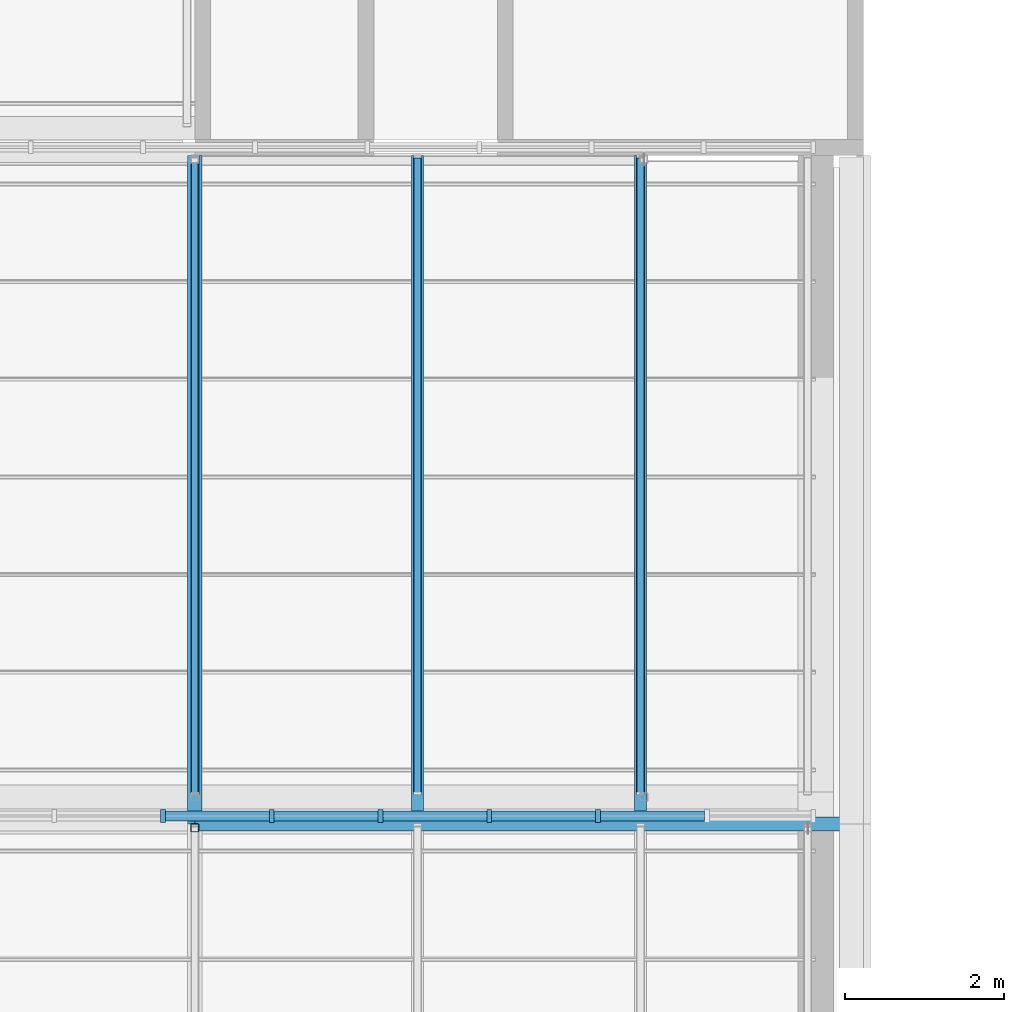
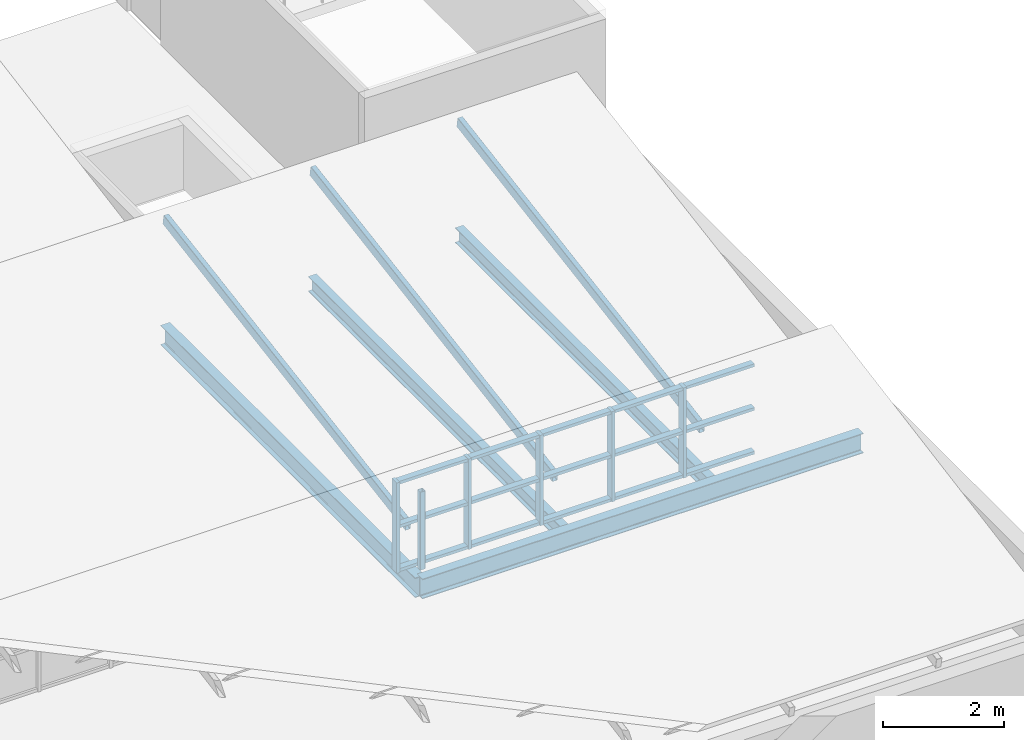
# One storey, part 7 of 42: 24 members, 4 beams, 1 element without a shape of its own.
"""IFC4 building model written with IfcOpenShell, lengths in metres."""

from ifc_helpers import new_model, si_unit, direction, frame, origin, origin_2d, place, context, subcontext, project, spatial, rectangle, hollow_rectangle, i_section, extrude, material, layer, layer_set, material_profile, profile_set, type_object, element, aggregate, save


model = new_model("IFC4")

# Units and contexts
model_context = context("Model", 3, precision=1e-05, world=origin(), true_north=direction((0.0, 1.0)))
body_context = subcontext(model_context, "Body", "Model", "MODEL_VIEW")
ifc_project = project(units=[si_unit("LENGTHUNIT", "METRE"), si_unit("AREAUNIT", "SQUARE_METRE"), si_unit("VOLUMEUNIT", "CUBIC_METRE"), si_unit("PLANEANGLEUNIT", "RADIAN"), si_unit("MASSUNIT", "GRAM", prefix="KILO")], contexts=[model_context])

# Site, building, storey
site_placement = place(None, origin())
site = spatial("IfcSite", under=ifc_project, at=site_placement, CompositionType="ELEMENT")
building_placement = place(site_placement, origin())
building = spatial("IfcBuilding", under=site, at=building_placement, Name="Ardhachandra Cancer Care Centre", CompositionType="ELEMENT")
storey_placement = place(building_placement, frame((0.0, 0.0, 22.5)))
storey = spatial("IfcBuildingStorey", under=building, at=storey_placement, Name="L05", CompositionType="ELEMENT", Elevation=22.5)

# Beams
ifc_material_1 = material(Name="Steel E350 (IS 2062)", Category="steel")
ifc_material_profile_1 = material_profile(ifc_material_1, i_section(OverallWidth=0.152099609375, OverallDepth=0.303955078125, WebThickness=0.008056640625, FlangeThickness=0.0126953125, FilletRadius=0.014892578125, at=origin_2d()), Name="NPB 300x150x49.32")
ifc_profile_set_1 = profile_set([ifc_material_profile_1], Name="Steel E350 (IS 2062)")
beam_type_1 = type_object("IfcBeamType", Name="Beam NPB 300x150x49.32", PredefinedType="BEAM", material=ifc_profile_set_1)
for number, where, z_axis, x_axis, name in (
    (1, (38.800048828125, 79.889892578125, -0.35205078125), (0.0, 1.0, 0.0), (-1.0, 0.0, 0.0), "Secondary J4-K4@2800"),
    (2, (41.60009765625, 79.889892578125, -0.35205078125), (0.0, 1.0, 0.0), (-1.0, 0.0, 0.0), "Secondary J4-K4@5600"),
):
    element("IfcBeam", number, at=place(storey_placement, frame(where, z_axis=z_axis, x_axis=x_axis)), inside=storey, type_object=beam_type_1, Name=name, PredefinedType="BEAM", context=body_context, shape_type="SweptSolid", body=[
        extrude(i_section(OverallWidth=0.152099609375, OverallDepth=0.303955078125, WebThickness=0.008056640625, FlangeThickness=0.0126953125, FilletRadius=0.014892578125, at=origin_2d()), origin(), (0.0, 0.0, 1.0), 8.31005859375),
    ])
ifc_material_2 = material(Name="Steel E350 (IS 2062)", Category="steel")
ifc_material_profile_2 = material_profile(ifc_material_2, i_section(OverallWidth=0.179931640625, OverallDepth=0.39990234375, WebThickness=0.008544921875, FlangeThickness=0.013427734375, FilletRadius=0.02099609375, at=origin_2d()), Name="NPB 400x180x66.30")
ifc_profile_set_2 = profile_set([ifc_material_profile_2], Name="Steel E350 (IS 2062)")
beam_type_2 = type_object("IfcBeamType", Name="Beam NPB 400x180x66.30", PredefinedType="BEAM", material=ifc_profile_set_2)
for number, where, z_axis, x_axis, name in (
    (3, (36.0, 79.800048828125, -0.39990234375), (1.0, 0.0, 0.0), (0.0, 1.0, 0.0), "Girder J4-J5"),
    (4, (36.0, 79.800048828125, -0.39990234375), (0.0, 1.0, 0.0), (-1.0, 0.0, 0.0), "Girder J4-K4"),
):
    element("IfcBeam", number, at=place(storey_placement, frame(where, z_axis=z_axis, x_axis=x_axis)), inside=storey, type_object=beam_type_2, Name=name, PredefinedType="BEAM", context=body_context, shape_type="SweptSolid", body=[
        extrude(i_section(OverallWidth=0.179931640625, OverallDepth=0.39990234375, WebThickness=0.008544921875, FlangeThickness=0.013427734375, FilletRadius=0.02099609375, at=origin_2d()), origin(), (0.0, 0.0, 1.0), 8.39990234375),
    ])

# Curtain wall, members
ifc_material_3 = material(Name="Aluminium extrusion", Category="aluminium")
ifc_layer = layer(ifc_material_3, 0.14990234375)
ifc_layer_set = layer_set([ifc_layer], Name="Aluminium extrusion")
curtain_wall_type = type_object("IfcCurtainWallType", Name="Curtain wall run", PredefinedType="NOTDEFINED", material=ifc_layer_set)
curtain_wall_placement = place(storey_placement, origin())
curtain_wall = element("IfcCurtainWall", 5, at=curtain_wall_placement, inside=storey, type_object=curtain_wall_type, Name="Curtain wall L05 n/0019200_0079900", PredefinedType="NOTDEFINED")
ifc_material_4 = material(Name="Aluminium extrusion", Category="aluminium")
ifc_material_profile_3 = material_profile(ifc_material_4, rectangle(XDim=0.159912109375, YDim=0.06005859375, at=origin_2d()), Name="Curtain wall mullion 60 x 160")
ifc_profile_set_3 = profile_set([ifc_material_profile_3], Name="Aluminium extrusion")
member_type_1 = type_object("IfcMemberType", Name="Curtain wall mullion 60 x 160", PredefinedType="MULLION", material=ifc_profile_set_3)
member_1_placement = place(storey_placement, frame((35.60009765625, 79.89990234375, 0.0), z_axis=(0.0, 0.0, 1.0), x_axis=(0.0, 1.0, 0.0)))
member_1 = element("IfcMember", 6, at=member_1_placement, type_object=member_type_1, Name="CW mullion 13", PredefinedType="MULLION", context=body_context, shape_type="SweptSolid", body=[
    extrude(rectangle(XDim=0.159912109375, YDim=0.06005859375, at=origin_2d()), origin(), (0.0, 0.0, 1.0), 1.820068359375),
])
member_2_placement = place(storey_placement, frame((36.966552734375, 79.89990234375, 0.0), z_axis=(0.0, 0.0, 1.0), x_axis=(0.0, 1.0, 0.0)))
member_2 = element("IfcMember", 7, at=member_2_placement, type_object=member_type_1, Name="CW mullion 14", PredefinedType="MULLION", context=body_context, shape_type="SweptSolid", body=[
    extrude(rectangle(XDim=0.159912109375, YDim=0.06005859375, at=origin_2d()), origin(), (0.0, 0.0, 1.0), 1.820068359375),
])
member_3_placement = place(storey_placement, frame((38.333251953125, 79.89990234375, 0.0), z_axis=(0.0, 0.0, 1.0), x_axis=(0.0, 1.0, 0.0)))
member_3 = element("IfcMember", 8, at=member_3_placement, type_object=member_type_1, Name="CW mullion 15", PredefinedType="MULLION", context=body_context, shape_type="SweptSolid", body=[
    extrude(rectangle(XDim=0.159912109375, YDim=0.06005859375, at=origin_2d()), origin(), (0.0, 0.0, 1.0), 1.820068359375),
])
member_4_placement = place(storey_placement, frame((39.699951171875, 79.89990234375, 0.0), z_axis=(0.0, 0.0, 1.0), x_axis=(0.0, 1.0, 0.0)))
member_4 = element("IfcMember", 9, at=member_4_placement, type_object=member_type_1, Name="CW mullion 16", PredefinedType="MULLION", context=body_context, shape_type="SweptSolid", body=[
    extrude(rectangle(XDim=0.159912109375, YDim=0.06005859375, at=origin_2d()), origin(), (0.0, 0.0, 1.0), 1.820068359375),
])
member_5_placement = place(storey_placement, frame((41.066650390625, 79.89990234375, 0.0), z_axis=(0.0, 0.0, 1.0), x_axis=(0.0, 1.0, 0.0)))
member_5 = element("IfcMember", 10, at=member_5_placement, type_object=member_type_1, Name="CW mullion 17", PredefinedType="MULLION", context=body_context, shape_type="SweptSolid", body=[
    extrude(rectangle(XDim=0.159912109375, YDim=0.06005859375, at=origin_2d()), origin(), (0.0, 0.0, 1.0), 1.820068359375),
])
ifc_material_5 = material(Name="Aluminium extrusion", Category="aluminium")
ifc_material_profile_4 = material_profile(ifc_material_5, rectangle(XDim=0.1201171875, YDim=0.06005859375, at=origin_2d()), Name="Curtain wall transom 60 x 120")
ifc_profile_set_4 = profile_set([ifc_material_profile_4], Name="Aluminium extrusion")
member_type_2 = type_object("IfcMemberType", Name="Curtain wall transom 60 x 120", PredefinedType="USERDEFINED", material=ifc_profile_set_4)
member_6_placement = place(storey_placement, frame((35.6298828125, 79.89990234375, 0.030029296875), z_axis=(1.0, 0.0, 0.0), x_axis=(0.0, 1.0, 0.0)))
member_6 = element("IfcMember", 11, at=member_6_placement, type_object=member_type_2, Name="CW transom 13.1", ObjectType="TRANSOM", PredefinedType="USERDEFINED", context=body_context, shape_type="SweptSolid", body=[
    extrude(rectangle(XDim=0.1201171875, YDim=0.06005859375, at=origin_2d()), origin(), (0.0, 0.0, 1.0), 1.306884765625),
])
member_7_placement = place(storey_placement, frame((35.6298828125, 79.89990234375, 0.909912109375), z_axis=(1.0, 0.0, 0.0), x_axis=(0.0, 1.0, 0.0)))
member_7 = element("IfcMember", 12, at=member_7_placement, type_object=member_type_2, Name="CW transom 13.2", ObjectType="TRANSOM", PredefinedType="USERDEFINED", context=body_context, shape_type="SweptSolid", body=[
    extrude(rectangle(XDim=0.1201171875, YDim=0.06005859375, at=origin_2d()), origin(), (0.0, 0.0, 1.0), 1.306884765625),
])
member_8_placement = place(storey_placement, frame((35.6298828125, 79.89990234375, 1.7900390625), z_axis=(1.0, 0.0, 0.0), x_axis=(0.0, 1.0, 0.0)))
member_8 = element("IfcMember", 13, at=member_8_placement, type_object=member_type_2, Name="CW transom 13.3", ObjectType="TRANSOM", PredefinedType="USERDEFINED", context=body_context, shape_type="SweptSolid", body=[
    extrude(rectangle(XDim=0.1201171875, YDim=0.06005859375, at=origin_2d()), origin(), (0.0, 0.0, 1.0), 1.306884765625),
])
member_9_placement = place(storey_placement, frame((36.99658203125, 79.89990234375, 0.030029296875), z_axis=(1.0, 0.0, 0.0), x_axis=(0.0, 1.0, 0.0)))
member_9 = element("IfcMember", 14, at=member_9_placement, type_object=member_type_2, Name="CW transom 14.1", ObjectType="TRANSOM", PredefinedType="USERDEFINED", context=body_context, shape_type="SweptSolid", body=[
    extrude(rectangle(XDim=0.1201171875, YDim=0.06005859375, at=origin_2d()), origin(), (0.0, 0.0, 1.0), 1.306640625),
])
member_10_placement = place(storey_placement, frame((36.99658203125, 79.89990234375, 0.909912109375), z_axis=(1.0, 0.0, 0.0), x_axis=(0.0, 1.0, 0.0)))
member_10 = element("IfcMember", 15, at=member_10_placement, type_object=member_type_2, Name="CW transom 14.2", ObjectType="TRANSOM", PredefinedType="USERDEFINED", context=body_context, shape_type="SweptSolid", body=[
    extrude(rectangle(XDim=0.1201171875, YDim=0.06005859375, at=origin_2d()), origin(), (0.0, 0.0, 1.0), 1.306640625),
])
member_11_placement = place(storey_placement, frame((36.99658203125, 79.89990234375, 1.7900390625), z_axis=(1.0, 0.0, 0.0), x_axis=(0.0, 1.0, 0.0)))
member_11 = element("IfcMember", 16, at=member_11_placement, type_object=member_type_2, Name="CW transom 14.3", ObjectType="TRANSOM", PredefinedType="USERDEFINED", context=body_context, shape_type="SweptSolid", body=[
    extrude(rectangle(XDim=0.1201171875, YDim=0.06005859375, at=origin_2d()), origin(), (0.0, 0.0, 1.0), 1.306640625),
])
member_12_placement = place(storey_placement, frame((38.36328125, 79.89990234375, 0.030029296875), z_axis=(1.0, 0.0, 0.0), x_axis=(0.0, 1.0, 0.0)))
member_12 = element("IfcMember", 17, at=member_12_placement, type_object=member_type_2, Name="CW transom 15.1", ObjectType="TRANSOM", PredefinedType="USERDEFINED", context=body_context, shape_type="SweptSolid", body=[
    extrude(rectangle(XDim=0.1201171875, YDim=0.06005859375, at=origin_2d()), origin(), (0.0, 0.0, 1.0), 1.306640625),
])
member_13_placement = place(storey_placement, frame((38.36328125, 79.89990234375, 0.909912109375), z_axis=(1.0, 0.0, 0.0), x_axis=(0.0, 1.0, 0.0)))
member_13 = element("IfcMember", 18, at=member_13_placement, type_object=member_type_2, Name="CW transom 15.2", ObjectType="TRANSOM", PredefinedType="USERDEFINED", context=body_context, shape_type="SweptSolid", body=[
    extrude(rectangle(XDim=0.1201171875, YDim=0.06005859375, at=origin_2d()), origin(), (0.0, 0.0, 1.0), 1.306640625),
])
member_14_placement = place(storey_placement, frame((38.36328125, 79.89990234375, 1.7900390625), z_axis=(1.0, 0.0, 0.0), x_axis=(0.0, 1.0, 0.0)))
member_14 = element("IfcMember", 19, at=member_14_placement, type_object=member_type_2, Name="CW transom 15.3", ObjectType="TRANSOM", PredefinedType="USERDEFINED", context=body_context, shape_type="SweptSolid", body=[
    extrude(rectangle(XDim=0.1201171875, YDim=0.06005859375, at=origin_2d()), origin(), (0.0, 0.0, 1.0), 1.306640625),
])
member_15_placement = place(storey_placement, frame((39.72998046875, 79.89990234375, 0.030029296875), z_axis=(1.0, 0.0, 0.0), x_axis=(0.0, 1.0, 0.0)))
member_15 = element("IfcMember", 20, at=member_15_placement, type_object=member_type_2, Name="CW transom 16.1", ObjectType="TRANSOM", PredefinedType="USERDEFINED", context=body_context, shape_type="SweptSolid", body=[
    extrude(rectangle(XDim=0.1201171875, YDim=0.06005859375, at=origin_2d()), origin(), (0.0, 0.0, 1.0), 1.306640625),
])
member_16_placement = place(storey_placement, frame((39.72998046875, 79.89990234375, 0.909912109375), z_axis=(1.0, 0.0, 0.0), x_axis=(0.0, 1.0, 0.0)))
member_16 = element("IfcMember", 21, at=member_16_placement, type_object=member_type_2, Name="CW transom 16.2", ObjectType="TRANSOM", PredefinedType="USERDEFINED", context=body_context, shape_type="SweptSolid", body=[
    extrude(rectangle(XDim=0.1201171875, YDim=0.06005859375, at=origin_2d()), origin(), (0.0, 0.0, 1.0), 1.306640625),
])
member_17_placement = place(storey_placement, frame((39.72998046875, 79.89990234375, 1.7900390625), z_axis=(1.0, 0.0, 0.0), x_axis=(0.0, 1.0, 0.0)))
member_17 = element("IfcMember", 22, at=member_17_placement, type_object=member_type_2, Name="CW transom 16.3", ObjectType="TRANSOM", PredefinedType="USERDEFINED", context=body_context, shape_type="SweptSolid", body=[
    extrude(rectangle(XDim=0.1201171875, YDim=0.06005859375, at=origin_2d()), origin(), (0.0, 0.0, 1.0), 1.306640625),
])
member_18_placement = place(storey_placement, frame((41.0966796875, 79.89990234375, 0.030029296875), z_axis=(1.0, 0.0, 0.0), x_axis=(0.0, 1.0, 0.0)))
member_18 = element("IfcMember", 23, at=member_18_placement, type_object=member_type_2, Name="CW transom 17.1", ObjectType="TRANSOM", PredefinedType="USERDEFINED", context=body_context, shape_type="SweptSolid", body=[
    extrude(rectangle(XDim=0.1201171875, YDim=0.06005859375, at=origin_2d()), origin(), (0.0, 0.0, 1.0), 1.306640625),
])
member_19_placement = place(storey_placement, frame((41.0966796875, 79.89990234375, 0.909912109375), z_axis=(1.0, 0.0, 0.0), x_axis=(0.0, 1.0, 0.0)))
member_19 = element("IfcMember", 24, at=member_19_placement, type_object=member_type_2, Name="CW transom 17.2", ObjectType="TRANSOM", PredefinedType="USERDEFINED", context=body_context, shape_type="SweptSolid", body=[
    extrude(rectangle(XDim=0.1201171875, YDim=0.06005859375, at=origin_2d()), origin(), (0.0, 0.0, 1.0), 1.306640625),
])
member_20_placement = place(storey_placement, frame((41.0966796875, 79.89990234375, 1.7900390625), z_axis=(1.0, 0.0, 0.0), x_axis=(0.0, 1.0, 0.0)))
member_20 = element("IfcMember", 25, at=member_20_placement, type_object=member_type_2, Name="CW transom 17.3", ObjectType="TRANSOM", PredefinedType="USERDEFINED", context=body_context, shape_type="SweptSolid", body=[
    extrude(rectangle(XDim=0.1201171875, YDim=0.06005859375, at=origin_2d()), origin(), (0.0, 0.0, 1.0), 1.306640625),
])
aggregate(curtain_wall, [member_1, member_2, member_3, member_4, member_5, member_6, member_7, member_8, member_9, member_10, member_11, member_12, member_13, member_14, member_15, member_16, member_17, member_18, member_19, member_20])

# Members
ifc_material_6 = material(Name="Steel E350 (IS 2062)", Category="steel")
ifc_material_profile_5 = material_profile(ifc_material_6, hollow_rectangle(XDim=0.10009765625, YDim=0.199951171875, WallThickness=0.006103515625, InnerFilletRadius=0.006103515625, OuterFilletRadius=0.011962890625, at=origin_2d()), Name="RHS 200x100x6.0")
ifc_profile_set_5 = profile_set([ifc_material_profile_5], Name="Steel E350 (IS 2062)")
member_type_3 = type_object("IfcMemberType", Name="Roof rafter RHS 200x100x6.0", PredefinedType="RAFTER", material=ifc_profile_set_5)
for number, where, z_axis, x_axis, name in (
    (26, (36.0, 80.183837890625, 0.5986328125), (0.0, 0.986657936602, 0.162806990454), (-1.0, 0.0, 0.0), "Rafter NT2a.10"),
    (27, (38.800048828125, 80.183837890625, 0.5986328125), (0.0, 0.986657936602, 0.162806990454), (-1.0, 0.0, 0.0), "Rafter NT2a.11"),
    (28, (41.60009765625, 80.183837890625, 0.5986328125), (0.0, 0.986657936602, 0.162806990454), (-1.0, 0.0, 0.0), "Rafter NT2a.12"),
):
    element("IfcMember", number, at=place(storey_placement, frame(where, z_axis=z_axis, x_axis=x_axis)), inside=storey, type_object=member_type_3, Name=name, PredefinedType="RAFTER", context=body_context, shape_type="SweptSolid", body=[
        extrude(hollow_rectangle(XDim=0.10009765625, YDim=0.199951171875, WallThickness=0.006103515625, InnerFilletRadius=0.006103515625, OuterFilletRadius=0.011962890625, at=origin_2d()), origin(), (0.0, 0.0, 1.0), 8.108154296875),
    ])
ifc_material_7 = material(Name="Steel E350 (IS 2062)", Category="steel")
ifc_material_profile_6 = material_profile(ifc_material_7, hollow_rectangle(XDim=0.10009765625, YDim=0.10009765625, WallThickness=0.0048828125, InnerFilletRadius=0.0048828125, OuterFilletRadius=0.010009765625, at=origin_2d()), Name="SHS 100x100x5.0")
ifc_profile_set_6 = profile_set([ifc_material_profile_6], Name="Steel E350 (IS 2062)")
member_type_4 = type_object("IfcMemberType", Name="Sawtooth ridge post SHS 100x100x5.0", PredefinedType="POST", material=ifc_profile_set_6)
member_21_placement = place(storey_placement, frame((36.0, 79.75, 0.0), z_axis=(0.0, 0.0, 1.0), x_axis=(1.0, 0.0, 0.0)))
element("IfcMember", 29, at=member_21_placement, inside=storey, type_object=member_type_4, Name="Ridge post NT1a.3", PredefinedType="POST", context=body_context, shape_type="SweptSolid", body=[
    extrude(hollow_rectangle(XDim=0.10009765625, YDim=0.10009765625, WallThickness=0.0048828125, InnerFilletRadius=0.0048828125, OuterFilletRadius=0.010009765625, at=origin_2d()), origin(), (0.0, 0.0, 1.0), 1.569091796875),
])

save(model, "model.ifc")
